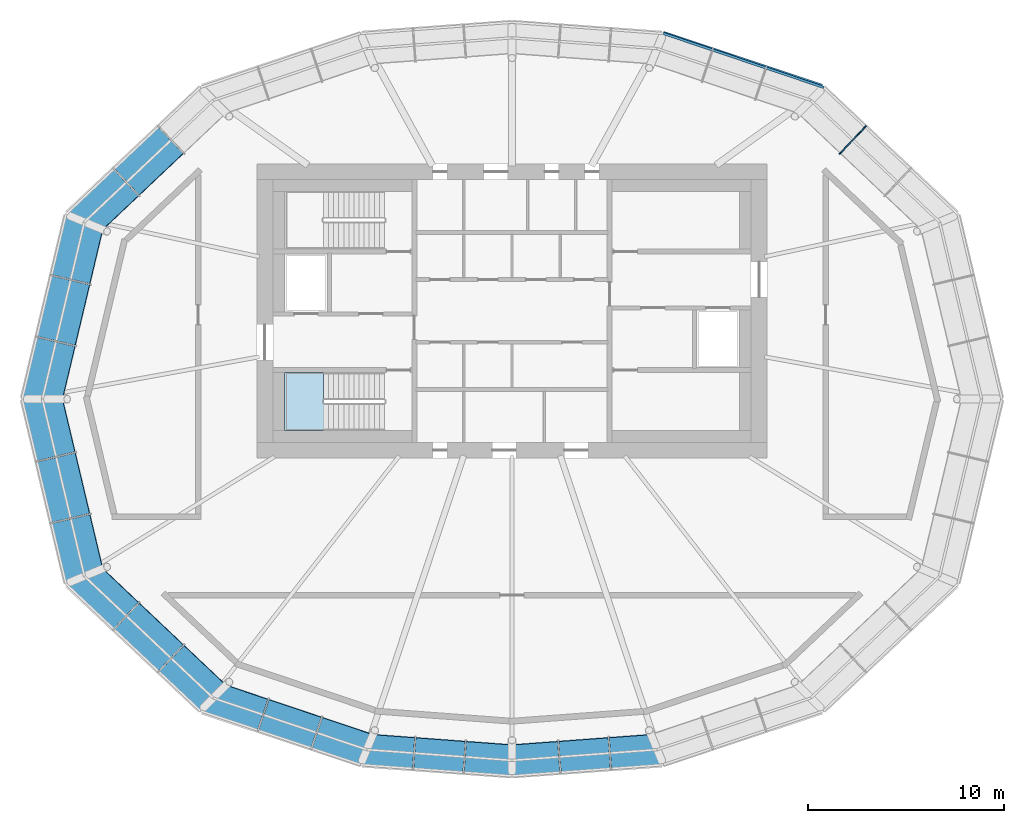
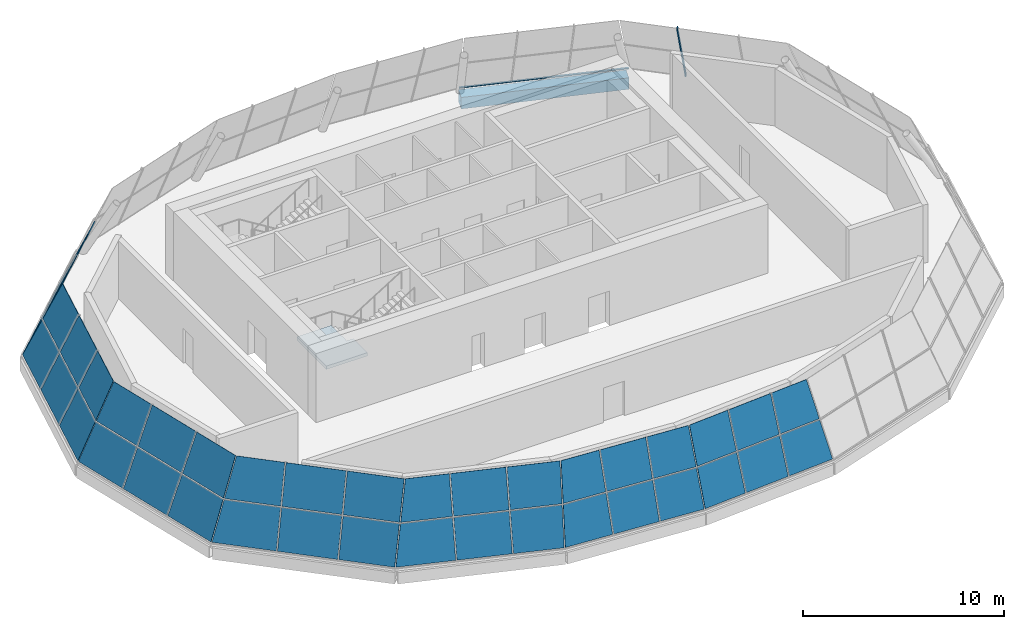
# One storey, part 3 of 8: 40 plates, 2 members, 1 beam, 1 slab, 10 elements without a shape of their own.
"""IFC4 building model written with IfcOpenShell, lengths in metres."""

from ifc_helpers import new_model, si_unit, direction, frame, origin, origin_2d, place, context, subcontext, project, spatial, polyline, rectangle, hollow_rectangle, outline, extrude, material, layer, layer_set, material_profile, profile_set, type_object, element, aggregate, save


model = new_model("IFC4")

# Units and contexts
model_context = context("Model", 3, precision=1e-05, world=origin(), true_north=direction((0.0, 1.0)))
body_context = subcontext(model_context, "Body", "Model", "MODEL_VIEW")
ifc_project = project(units=[si_unit("LENGTHUNIT", "METRE"), si_unit("AREAUNIT", "SQUARE_METRE"), si_unit("VOLUMEUNIT", "CUBIC_METRE"), si_unit("PLANEANGLEUNIT", "RADIAN"), si_unit("MASSUNIT", "GRAM", prefix="KILO")], contexts=[model_context])

# Site, building, storey
site_placement = place(None, origin())
site = spatial("IfcSite", under=ifc_project, at=site_placement, CompositionType="ELEMENT")
building_placement = place(site_placement, origin())
building = spatial("IfcBuilding", under=site, at=building_placement, Name="Rubra Terraces Tower", CompositionType="ELEMENT")
storey_placement = place(building_placement, frame((0.0, 0.0, 312.0)))
storey = spatial("IfcBuildingStorey", under=building, at=storey_placement, Name="L77", CompositionType="ELEMENT", Elevation=312.0)

# Beam
ifc_material_1 = material(Name="Steel Q355B", Category="steel")
ifc_material_profile_1 = material_profile(ifc_material_1, hollow_rectangle(XDim=0.699951171875, YDim=0.699951171875, WallThickness=0.034912109375, at=origin_2d()), Name="BOX 700x700x35")
ifc_profile_set_1 = profile_set([ifc_material_profile_1], Name="Steel Q355B")
beam_type = type_object("IfcBeamType", Name="CROWN RING GIRDER BOX 700x700x35", PredefinedType="BEAM", material=ifc_profile_set_1)
beam_placement = place(storey_placement, frame((15.73193359375, 15.73193359375, -0.550048828125), z_axis=(-0.94872905273, 0.316090468863, 0.0), x_axis=(-0.316090468863, -0.94872905273, 0.0)))
element("IfcBeam", 1, at=beam_placement, inside=storey, type_object=beam_type, Name="CROWN RING GIRDER", PredefinedType="BEAM", context=body_context, shape_type="SweptSolid", body=[
    extrude(hollow_rectangle(XDim=0.699951171875, YDim=0.699951171875, WallThickness=0.034912109375, at=origin_2d()), origin(), (0.0, 0.0, 1.0), 8.53564453125),
])

# Curtain wall, member
ifc_material_2 = material(Name="Aluminium and glass", Category="aluminium")
curtain_wall_type = type_object("IfcCurtainWallType", Name="Curtain wall Crown glazing", PredefinedType="NOTDEFINED", material=ifc_material_2)
curtain_wall_1_placement = place(storey_placement, origin())
curtain_wall_1 = element("IfcCurtainWall", 2, at=curtain_wall_1_placement, inside=storey, type_object=curtain_wall_type, Name="Crown glazing L77 facet 2", PredefinedType="NOTDEFINED")
ifc_material_3 = material(Name="Aluminium, anodised dark grey", Category="aluminium")
ifc_material_profile_2 = material_profile(ifc_material_3, rectangle(XDim=0.06005859375, YDim=0.159912109375, at=origin_2d()), Name="AL 60x160")
ifc_profile_set_2 = profile_set([ifc_material_profile_2], Name="Aluminium, anodised dark grey")
member_type_1 = type_object("IfcMemberType", Name="Crown glazing mullion 60 x 160", PredefinedType="MULLION", material=ifc_profile_set_2)
member_1_placement = place(storey_placement, frame((18.019287109375, 13.890380859375, 0.0), z_axis=(-0.277872505481, -0.293980286075, 0.914528546354), x_axis=(0.726736110056, -0.686916753574, 0.0)))
member_1 = element("IfcMember", 3, at=member_1_placement, type_object=member_type_1, Name="Crown glazing L77 facet 2 mullion 2", PredefinedType="MULLION", context=body_context, shape_type="SweptSolid", body=[
    extrude(rectangle(XDim=0.06005859375, YDim=0.159912109375, at=origin_2d()), origin(), (0.0, 0.0, 1.0), 4.592529296875),
])
aggregate(curtain_wall_1, [member_1])

curtain_wall_2_placement = place(storey_placement, origin())
curtain_wall_2 = element("IfcCurtainWall", 4, at=curtain_wall_2_placement, inside=storey, type_object=curtain_wall_type, Name="Crown glazing L77 facet 3", PredefinedType="NOTDEFINED")
ifc_material_profile_3 = material_profile(ifc_material_3, rectangle(XDim=0.1201171875, YDim=0.06005859375, at=origin_2d()), Name="AL 120x60")
ifc_profile_set_3 = profile_set([ifc_material_profile_3], Name="Aluminium, anodised dark grey")
member_type_2 = type_object("IfcMemberType", Name="Crown glazing transom 120 x 60", PredefinedType="USERDEFINED", material=ifc_profile_set_3)
member_2_placement = place(storey_placement, frame((15.89697265625, 15.89697265625, 0.0), z_axis=(-0.947867651928, 0.318664266005, 0.0), x_axis=(-0.318664266005, -0.947867651928, 0.0)))
member_2 = element("IfcMember", 5, at=member_2_placement, type_object=member_type_2, Name="Crown glazing L77 facet 3 transom 1", ObjectType="TRANSOM", PredefinedType="USERDEFINED", context=body_context, shape_type="SweptSolid", body=[
    extrude(rectangle(XDim=0.1201171875, YDim=0.06005859375, at=origin_2d()), origin(), (0.0, 0.0, 1.0), 8.62353515625),
])
aggregate(curtain_wall_2, [member_2])

# Stair, slab
ifc_material_4 = material(Name="Concrete C40", Category="concrete")
stair_type = type_object("IfcStairType", Name="Core stair 1400", PredefinedType="HALF_TURN_STAIR", material=ifc_material_4)
stair_placement = place(storey_placement, origin())
stair = element("IfcStair", 6, at=stair_placement, inside=storey, type_object=stair_type, Name="L77 Exit stair S1", PredefinedType="HALF_TURN_STAIR")
ifc_layer_1 = layer(ifc_material_4, 0.199951171875)
ifc_layer_set_1 = layer_set([ifc_layer_1], Name="Concrete C40")
slab_type = type_object("IfcSlabType", Name="Core stair landing 200", PredefinedType="LANDING", material=ifc_layer_set_1)
slab_placement = place(storey_placement, frame((0.0, 0.0, 1.89990234375)))
slab = element("IfcSlab", 7, at=slab_placement, type_object=slab_type, Name="S1 landing 1", PredefinedType="LANDING", context=body_context, shape_type="SweptSolid", body=[
    extrude(outline(polyline([(-9.239990234375, -0.199951171875), (-9.239990234375, -1.60009765625), (-9.6201171875, -1.60009765625), (-9.639892578125, -1.60009765625), (-11.60009765625, -1.60009765625), (-11.60009765625, 1.35009765625), (-9.639892578125, 1.35009765625), (-9.617919921875, 1.35009765625), (-9.617919921875, -0.050048828125), (-9.6201171875, -0.050048828125), (-9.6201171875, -0.199951171875), (-9.239990234375, -0.199951171875)])), origin(), (0.0, 0.0, 1.0), 0.2001953125),
])
aggregate(stair, [slab])

# Curtain wall, plates
curtain_wall_3_placement = place(storey_placement, origin())
curtain_wall_3 = element("IfcCurtainWall", 8, at=curtain_wall_3_placement, inside=storey, type_object=curtain_wall_type, Name="Crown glazing L77 facet 7", PredefinedType="NOTDEFINED")
ifc_material_5 = material(Name="Clear glass, laminated", Category="glass")
ifc_layer_2 = layer(ifc_material_5, 0.028076171875)
ifc_layer_set_2 = layer_set([ifc_layer_2], Name="Clear glass, laminated")
plate_type = type_object("IfcPlateType", Name="Crown glazing glass panel 28", PredefinedType="CURTAIN_PANEL", material=ifc_layer_set_2)
plate_1_placement = place(storey_placement, frame((-18.032958984375, 13.861083984375, 0.02734375), z_axis=(-0.628277150864, 0.664537842055, 0.404545767719), x_axis=(-0.72665078529, -0.687007013163, 1.0067956e-05)))
plate_1 = element("IfcPlate", 9, at=plate_1_placement, type_object=plate_type, Name="Crown glazing L77 facet 7 panel 2.1", PredefinedType="CURTAIN_PANEL", context=body_context, shape_type="SweptSolid", body=[
    extrude(outline(polyline([(0.0, 0.0), (3.0816811086023437, -1.1102230246251565e-16), (3.0818930170857697, 2.236298835235191), (3.450350654860669e-05, 2.2363666898421504), (0.0, 0.0)])), origin(), (0.0, 0.0, -1.0), 0.028076171875),
])
plate_2_placement = place(storey_placement, frame((-17.394775390625, 13.18603515625, 2.12744140625), z_axis=(-0.628268103449, 0.664566589274, 0.404512593882), x_axis=(-0.726667324439, -0.686989518961, 2.0715595e-05)))
plate_2 = element("IfcPlate", 10, at=plate_2_placement, type_object=plate_type, Name="Crown glazing L77 facet 7 panel 2.2", PredefinedType="CURTAIN_PANEL", context=body_context, shape_type="SweptSolid", body=[
    extrude(outline(polyline([(0.0, 0.0), (3.0816811055156914, 0.0), (3.081725289813199, 2.2362270755428564), (3.449733327923485e-05, 2.2363666855888837), (0.0, 0.0)])), origin(), (0.0, 0.0, -1.0), 0.028076171875),
])
plate_3_placement = place(storey_placement, frame((-20.31591796875, 11.70263671875, 0.02734375), z_axis=(-0.628271594933, 0.664560348708, 0.404517423514), x_axis=(-0.726669098391, -0.686987642858, -1.992346e-06)))
plate_3 = element("IfcPlate", 11, at=plate_3_placement, type_object=plate_type, Name="Crown glazing L77 facet 7 panel 3.1", PredefinedType="CURTAIN_PANEL", context=body_context, shape_type="SweptSolid", body=[
    extrude(outline(polyline([(0.0, 0.0), (3.2972172563589206, 2.220446049250313e-16), (2.8922219759423853, 2.2363084054641313), (-0.00018200190665803464, 2.2362949210932492), (0.0, 0.0)])), origin(), (0.0, 0.0, -1.0), 0.028076171875),
])
plate_4_placement = place(storey_placement, frame((-19.677734375, 11.027587890625, 2.12744140625), z_axis=(-0.628257188564, 0.664554085038, 0.40455008723), x_axis=(-0.726670302855, -0.68698636876, 9.284981e-06)))
plate_4 = element("IfcPlate", 12, at=plate_4_placement, type_object=plate_type, Name="Crown glazing L77 facet 7 panel 3.2", PredefinedType="CURTAIN_PANEL", context=body_context, shape_type="SweptSolid", body=[
    extrude(outline(polyline([(0.0, 0.0), (2.88135009648259, 0.0), (2.4763762939823137, 2.2363122940877656), (7.19733541059676e-06, 2.2363666904340382), (0.0, 0.0)])), origin(), (0.0, 0.0, -1.0), 0.028076171875),
])
aggregate(curtain_wall_3, [plate_1, plate_2, plate_3, plate_4])

curtain_wall_4_placement = place(storey_placement, origin())
curtain_wall_4 = element("IfcCurtainWall", 13, at=curtain_wall_4_placement, inside=storey, type_object=curtain_wall_type, Name="Crown glazing L77 facet 8", PredefinedType="NOTDEFINED")
plate_5_placement = place(storey_placement, frame((-22.74072265625, 9.3876953125, 0.027099609375), z_axis=(-0.877599447232, 0.208401877131, 0.431726612368), x_axis=(-0.231049046816, -0.972942104033, -1.2866821e-05)))
plate_5 = element("IfcPlate", 14, at=plate_5_placement, type_object=plate_type, Name="Crown glazing L77 facet 8 panel 1.1", PredefinedType="CURTAIN_PANEL", context=body_context, shape_type="SweptSolid", body=[
    extrude(outline(polyline([(0.0, 0.0), (3.127363921175959, 5.551115123125783e-17), (3.127132508737923, 2.2682133583225035), (0.15740164380098445, 2.268126385114383), (0.0, 0.0)])), origin(), (0.0, 0.0, -1.0), 0.028076171875),
])
plate_6_placement = place(storey_placement, frame((-21.80029296875, 8.998291015625, 2.126953125), z_axis=(-0.877649198812, 0.208370168323, 0.43164077284), x_axis=(-0.230996663451, -0.972954542346, 1.540989e-06)))
plate_6 = element("IfcPlate", 15, at=plate_6_placement, type_object=plate_type, Name="Crown glazing L77 facet 8 panel 1.2", PredefinedType="CURTAIN_PANEL", context=body_context, shape_type="SweptSolid", body=[
    extrude(outline(polyline([(0.0, 0.0), (2.9657046810628445, 0.0), (2.965611868673523, 2.268331041004371), (0.1574838368898829, 2.2683409045970033), (0.0, 0.0)])), origin(), (0.0, 0.0, -1.0), 0.028076171875),
])
plate_7_placement = place(storey_placement, frame((-23.47705078125, 6.28662109375, 0.027099609375), z_axis=(-0.877600960157, 0.208365059649, 0.431741307555), x_axis=(-0.231010838112, -0.972951176813, -1.459981e-05)))
plate_7 = element("IfcPlate", 16, at=plate_7_placement, type_object=plate_type, Name="Crown glazing L77 facet 8 panel 2.1", PredefinedType="CURTAIN_PANEL", context=body_context, shape_type="SweptSolid", body=[
    extrude(outline(polyline([(0.0, 0.0), (3.167988061504598, -5.551115123125783e-17), (3.168029099918998, 2.26823771579559), (9.74375447985574e-05, 2.268135162042862), (0.0, 0.0)])), origin(), (0.0, 0.0, -1.0), 0.028076171875),
])
plate_8_placement = place(storey_placement, frame((-22.499267578125, 6.054443359375, 2.126953125), z_axis=(-0.877620478234, 0.208369693743, 0.431699394154), x_axis=(-0.231010836792, -0.972951177126, -1.4598718e-05)))
plate_8 = element("IfcPlate", 17, at=plate_8_placement, type_object=plate_type, Name="Crown glazing L77 facet 8 panel 2.2", PredefinedType="CURTAIN_PANEL", context=body_context, shape_type="SweptSolid", body=[
    extrude(outline(polyline([(0.0, 0.0), (3.1679880615045173, 5.551115123125783e-17), (3.1680290999190786, 2.268457927493513), (9.743754463740098e-05, 2.268355383696692), (0.0, 0.0)])), origin(), (0.0, 0.0, -1.0), 0.028076171875),
])
plate_9_placement = place(storey_placement, frame((-24.222900390625, 3.14599609375, 0.027099609375), z_axis=(-0.877581963078, 0.208365528482, 0.431779694544), x_axis=(-0.231008599413, -0.97295170846, 1.428413e-06)))
plate_9 = element("IfcPlate", 18, at=plate_9_placement, type_object=plate_type, Name="Crown glazing L77 facet 8 panel 3.1", PredefinedType="CURTAIN_PANEL", context=body_context, shape_type="SweptSolid", body=[
    extrude(outline(polyline([(0.0, 0.0), (3.20334193726098, 0.0), (2.970813498472431, 2.268227939855967), (7.608406625247157e-05, 2.268237717395883), (0.0, 0.0)])), origin(), (0.0, 0.0, -1.0), 0.028076171875),
])
plate_10_placement = place(storey_placement, frame((-23.244873046875, 2.913818359375, 2.126953125), z_axis=(-0.877644351963, 0.208364667977, 0.431653282864), x_axis=(-0.230992218015, -0.972955597761, 1.284818e-06)))
plate_10 = element("IfcPlate", 19, at=plate_10_placement, type_object=plate_type, Name="Crown glazing L77 facet 8 panel 3.2", PredefinedType="CURTAIN_PANEL", context=body_context, shape_type="SweptSolid", body=[
    extrude(outline(polyline([(0.0, 0.0), (2.964698134541184, -5.551115123125783e-17), (2.7322422862504934, 2.2683472692190394), (0.00014867492413745616, 2.2683553834297827), (0.0, 0.0)])), origin(), (0.0, 0.0, -1.0), 0.028076171875),
])
aggregate(curtain_wall_4, [plate_5, plate_6, plate_7, plate_8, plate_9, plate_10])

curtain_wall_5_placement = place(storey_placement, origin())
curtain_wall_5 = element("IfcCurtainWall", 20, at=curtain_wall_5_placement, inside=storey, type_object=curtain_wall_type, Name="Crown glazing L77 facet 9", PredefinedType="NOTDEFINED")
plate_11_placement = place(storey_placement, frame((-24.962890625, -0.029296875, 0.02685546875), z_axis=(-0.877601484203, -0.208370163411, 0.431737779125), x_axis=(0.231008599542, -0.972951708429, -1.428306e-06)))
plate_11 = element("IfcPlate", 21, at=plate_11_placement, type_object=plate_type, Name="Crown glazing L77 facet 9 panel 1.1", PredefinedType="CURTAIN_PANEL", context=body_context, shape_type="SweptSolid", body=[
    extrude(outline(polyline([(0.0, 0.0), (3.203341937260979, 5.551115123125783e-17), (3.2032658531947282, 2.268457929093762), (0.23252843878854734, 2.2684481525030096), (0.0, 0.0)])), origin(), (0.0, 0.0, -1.0), 0.028076171875),
])
plate_12_placement = place(storey_placement, frame((-23.9296875, -0.029296875, 2.126953125), z_axis=(-0.877632394045, -0.208323171894, 0.431697622155), x_axis=(0.230944680452, -0.972966882431, -1.6248174e-05)))
plate_12 = element("IfcPlate", 22, at=plate_12_placement, type_object=plate_type, Name="Crown glazing L77 facet 9 panel 1.2", PredefinedType="CURTAIN_PANEL", context=body_context, shape_type="SweptSolid", body=[
    extrude(outline(polyline([(0.0, 0.0), (2.964641748023964, 0.0), (2.964470998962058, 2.2684579212239084), (0.23237739181510775, 2.2683553051888463), (0.0, 0.0)])), origin(), (0.0, 0.0, -1.0), 0.028076171875),
])
plate_13_placement = place(storey_placement, frame((-24.208984375, -3.204345703125, 0.02685546875), z_axis=(-0.877608452797, -0.208332081824, 0.431741991543), x_axis=(0.2309675619, -0.972961451112, 0.0)))
plate_13 = element("IfcPlate", 23, at=plate_13_placement, type_object=plate_type, Name="Crown glazing L77 facet 9 panel 2.1", PredefinedType="CURTAIN_PANEL", context=body_context, shape_type="SweptSolid", body=[
    extrude(outline(polyline([(0.0, 0.0), (3.1679316658455337, 0.0), (3.167817195365402, 2.2684579275062524), (-0.0001144704801316343, 2.268457927506252), (0.0, 0.0)])), origin(), (0.0, 0.0, -1.0), 0.028076171875),
])
plate_14_placement = place(storey_placement, frame((-23.231201171875, -2.97216796875, 2.126953125), z_axis=(-0.877592828376, -0.208397885107, 0.431741993634), x_axis=(0.231040515028, -0.972944130162, 0.0)))
plate_14 = element("IfcPlate", 24, at=plate_14_placement, type_object=plate_type, Name="Crown glazing L77 facet 9 panel 2.2", PredefinedType="CURTAIN_PANEL", context=body_context, shape_type="SweptSolid", body=[
    extrude(outline(polyline([(0.0, 0.0), (3.167988063315941, -5.551115123125783e-17), (3.167947028524251, 2.2684579300233008), (-4.103479169018098e-05, 2.2684579300233008), (0.0, 0.0)])), origin(), (0.0, 0.0, -1.0), 0.028076171875),
])
plate_15_placement = place(storey_placement, frame((-23.46337890625, -6.344970703125, 0.02685546875), z_axis=(-0.877605096468, -0.208358525105, 0.431736053242), x_axis=(0.230997110679, -0.972954436165, 2.06211e-06)))
plate_15 = element("IfcPlate", 25, at=plate_15_placement, type_object=plate_type, Name="Crown glazing L77 facet 9 panel 3.1", PredefinedType="CURTAIN_PANEL", context=body_context, shape_type="SweptSolid", body=[
    extrude(outline(polyline([(0.0, 0.0), (3.1273075167058275, -5.551115123125783e-17), (2.9698878981108416, 2.2684439896079054), (-8.050703082482684e-05, 2.26845792891668), (0.0, 0.0)])), origin(), (0.0, 0.0, -1.0), 0.028076171875),
])
plate_16_placement = place(storey_placement, frame((-22.485595703125, -6.11279296875, 2.126953125), z_axis=(-0.877620249741, -0.208401436097, 0.431684536066), x_axis=(0.231043753052, -0.972943361142, 1.3626969e-05)))
plate_16 = element("IfcPlate", 26, at=plate_16_placement, type_object=plate_type, Name="Crown glazing L77 facet 9 panel 3.2", PredefinedType="CURTAIN_PANEL", context=body_context, shape_type="SweptSolid", body=[
    extrude(outline(polyline([(0.0, 0.0), (2.9657610840215325, 0.0), (2.8083556713311095, 2.2683463460751865), (0.0002276424255113271, 2.268433572749463), (0.0, 0.0)])), origin(), (0.0, 0.0, -1.0), 0.028076171875),
])
aggregate(curtain_wall_5, [plate_11, plate_12, plate_13, plate_14, plate_15, plate_16])

curtain_wall_6_placement = place(storey_placement, origin())
curtain_wall_6 = element("IfcCurtainWall", 27, at=curtain_wall_6_placement, inside=storey, type_object=curtain_wall_type, Name="Crown glazing L77 facet 10", PredefinedType="NOTDEFINED")
plate_17_placement = place(storey_placement, frame((-22.712158203125, -9.4375, 0.027099609375), z_axis=(-0.628269190542, -0.66455780544, 0.404525335974), x_axis=(0.726668768088, -0.686987992242, 9.05335e-07)))
plate_17 = element("IfcPlate", 28, at=plate_17_placement, type_object=plate_type, Name="Crown glazing L77 facet 10 panel 1.1", PredefinedType="CURTAIN_PANEL", context=body_context, shape_type="SweptSolid", body=[
    extrude(outline(polyline([(0.0, 0.0), (3.2975623874015945, 1.1102230246251565e-16), (3.2974062885633186, 2.2371082739567147), (0.40534744174529347, 2.2371144013651363), (0.0, 0.0)])), origin(), (0.0, 0.0, -1.0), 0.028076171875),
])
plate_18_placement = place(storey_placement, frame((-21.771728515625, -9.048095703125, 2.126953125), z_axis=(-0.628298375028, -0.664553570775, 0.404486963333), x_axis=(0.72665090008, -0.687006891822, 1.722245e-06)))
plate_18 = element("IfcPlate", 29, at=plate_18_placement, type_object=plate_type, Name="Crown glazing L77 facet 10 panel 1.2", PredefinedType="CURTAIN_PANEL", context=body_context, shape_type="SweptSolid", body=[
    extrude(outline(polyline([(0.0, 0.0), (2.881695228458267, 0.0), (2.881517264387662, 2.237331547950868), (0.4053255759598299, 2.237341637781896), (0.0, 0.0)])), origin(), (0.0, 0.0, -1.0), 0.028076171875),
])
plate_19_placement = place(storey_placement, frame((-20.2724609375, -11.744140625, 0.027099609375), z_axis=(-0.628265698578, -0.66456404546, 0.404520508099), x_axis=(0.726679914101, -0.686976201926, 2.0715856e-05)))
plate_19 = element("IfcPlate", 30, at=plate_19_placement, type_object=plate_type, Name="Crown glazing L77 facet 10 panel 2.1", PredefinedType="CURTAIN_PANEL", context=body_context, shape_type="SweptSolid", body=[
    extrude(outline(polyline([(0.0, 0.0), (3.0816907956423316, 0.0), (3.0817576287437976, 2.237036507130115), (7.652639057053223e-05, 2.237176119468587), (0.0, 0.0)])), origin(), (0.0, 0.0, -1.0), 0.028076171875),
])
plate_20_placement = place(storey_placement, frame((-19.63427734375, -11.069091796875, 2.126953125), z_axis=(-0.628248758874, -0.664584447097, 0.40451329972), x_axis=(0.726696452909, -0.686958707076, 1.0066661e-05)))
plate_20 = element("IfcPlate", 31, at=plate_20_placement, type_object=plate_type, Name="Crown glazing L77 facet 10 panel 2.2", PredefinedType="CURTAIN_PANEL", context=body_context, shape_type="SweptSolid", body=[
    extrude(outline(polyline([(0.0, 0.0), (3.0816907987290296, 1.1102230246251565e-16), (3.0815899151667203, 2.237331551473553), (7.653256388904046e-05, 2.2373993925973865), (0.0, 0.0)])), origin(), (0.0, 0.0, -1.0), 0.028076171875),
])
plate_21_placement = place(storey_placement, frame((-17.989501953125, -13.90234375, 0.027099609375), z_axis=(-0.628256525752, -0.664536456199, 0.404580073944), x_axis=(0.726664908694, -0.686992074532, 1.711098e-06)))
plate_21 = element("IfcPlate", 32, at=plate_21_placement, type_object=plate_type, Name="Crown glazing L77 facet 10 panel 3.1", PredefinedType="CURTAIN_PANEL", context=body_context, shape_type="SweptSolid", body=[
    extrude(outline(polyline([(0.0, 0.0), (2.861145399046734, -1.1102230246251565e-16), (2.886722346088718, 2.2371653716130164), (1.7874183817282263e-05, 2.2371761262396914), (0.0, 0.0)])), origin(), (0.0, 0.0, -1.0), 0.028076171875),
])
plate_22_placement = place(storey_placement, frame((-17.351318359375, -13.227294921875, 2.126953125), z_axis=(-0.628267411429, -0.664569872763, 0.404508274268), x_axis=(0.726679479738, -0.686976661592, 1.2467207e-05)))
plate_22 = element("IfcPlate", 33, at=plate_22_placement, type_object=plate_type, Name="Crown glazing L77 facet 10 panel 3.2", PredefinedType="CURTAIN_PANEL", context=body_context, shape_type="SweptSolid", body=[
    extrude(outline(polyline([(0.0, 0.0), (2.887227013584692, 0.0), (2.912667755000398, 2.2373203275699547), (5.908110931356134e-05, 2.237399392671032), (0.0, 0.0)])), origin(), (0.0, 0.0, -1.0), 0.028076171875),
])
aggregate(curtain_wall_6, [plate_17, plate_18, plate_19, plate_20, plate_21, plate_22])

curtain_wall_7_placement = place(storey_placement, origin())
curtain_wall_7 = element("IfcCurtainWall", 34, at=curtain_wall_7_placement, inside=storey, type_object=curtain_wall_type, Name="Crown glazing L77 facet 11", PredefinedType="NOTDEFINED")
plate_23_placement = place(storey_placement, frame((-15.860107421875, -15.89794921875, 0.02734375), z_axis=(-0.296234093175, -0.881158727434, 0.368516836939), x_axis=(0.947867821602, -0.318663761232, -7.02748e-06)))
plate_23 = element("IfcPlate", 35, at=plate_23_placement, type_object=plate_type, Name="Crown glazing L77 facet 11 panel 1.1", PredefinedType="CURTAIN_PANEL", context=body_context, shape_type="SweptSolid", body=[
    extrude(outline(polyline([(0.0, 0.0), (3.044474472282451, 0.0), (3.0443845713288757, 2.200022641085137), (0.40253083722308575, 2.1999796552270157), (0.0, 0.0)])), origin(), (0.0, 0.0, -1.0), 0.028076171875),
])
plate_24_placement = place(storey_placement, frame((-15.202880859375, -15.24072265625, 2.12744140625), z_axis=(-0.296246481062, -0.881173318333, 0.368471987423), x_axis=(0.947867179115, -0.318665672305, 7.133303e-06)))
plate_24 = element("IfcPlate", 36, at=plate_24_placement, type_object=plate_type, Name="Crown glazing L77 facet 11 panel 1.2", PredefinedType="CURTAIN_PANEL", context=body_context, shape_type="SweptSolid", body=[
    extrude(outline(polyline([(0.0, 0.0), (2.6310452034559533, 0.0), (2.631060428171815, 2.1999373669891185), (0.4025581639045687, 2.199974655258179), (0.0, 0.0)])), origin(), (0.0, 0.0, -1.0), 0.028076171875),
])
plate_25_placement = place(storey_placement, frame((-12.91748046875, -16.88720703125, 0.02734375), z_axis=(-0.29621128225, -0.881175144256, 0.368495917771), x_axis=(0.947876135032, -0.318639031567, -1.4082204e-05)))
plate_25 = element("IfcPlate", 37, at=plate_25_placement, type_object=plate_type, Name="Crown glazing L77 facet 11 panel 2.1", PredefinedType="CURTAIN_PANEL", context=body_context, shape_type="SweptSolid", body=[
    extrude(outline(polyline([(0.0, 0.0), (2.8147144056664866, 1.1102230246251565e-16), (2.8146312300967358, 2.200022639486136), (-5.382837435225247e-06, 2.199937364995168), (0.0, 0.0)])), origin(), (0.0, 0.0, -1.0), 0.028076171875),
])
plate_26_placement = place(storey_placement, frame((-12.652099609375, -16.098388671875, 2.12744140625), z_axis=(-0.296235637912, -0.881166956708, 0.36849591753), x_axis=(0.947870885192, -0.318654648179, 1.4083621e-05)))
plate_26 = element("IfcPlate", 38, at=plate_26_placement, type_object=plate_type, Name="Crown glazing L77 facet 11 panel 2.2", PredefinedType="CURTAIN_PANEL", context=body_context, shape_type="SweptSolid", body=[
    extrude(outline(polyline([(0.0, 0.0), (2.814405196596597, 0.0), (2.8144440631014556, 2.199937364658474), (-3.893004010714266e-05, 2.200022640714043), (0.0, 0.0)])), origin(), (0.0, 0.0, -1.0), 0.028076171875),
])
plate_27_placement = place(storey_placement, frame((-10.19287109375, -17.80322265625, 0.02734375), z_axis=(-0.29625846995, -0.881160070213, 0.368494029322), x_axis=(0.947860380314, -0.318685894592, -4.394256e-06)))
plate_27 = element("IfcPlate", 39, at=plate_27_placement, type_object=plate_type, Name="Crown glazing L77 facet 11 panel 3.1", PredefinedType="CURTAIN_PANEL", context=body_context, shape_type="SweptSolid", body=[
    extrude(outline(polyline([(0.0, 0.0), (2.58009070375734, 5.551115123125783e-17), (2.6356517848046375, 2.1999906896328976), (0.00020576703896977585, 2.199966036384982), (0.0, 0.0)])), origin(), (0.0, 0.0, -1.0), 0.028076171875),
])
plate_28_placement = place(storey_placement, frame((-9.927490234375, -17.014404296875, 2.12744140625), z_axis=(-0.296198699979, -0.881186874261, 0.368477981378), x_axis=(0.94788592939, -0.318609893796, 2.0960793e-05)))
plate_28 = element("IfcPlate", 40, at=plate_28_placement, type_object=plate_type, Name="Crown glazing L77 facet 11 panel 3.2", PredefinedType="CURTAIN_PANEL", context=body_context, shape_type="SweptSolid", body=[
    extrude(outline(polyline([(0.0, 0.0), (2.637143719623638, 1.1102230246251565e-16), (2.6928994444949605, 2.199902460752418), (1.3417037047685493e-05, 2.2000226385326114), (0.0, 0.0)])), origin(), (0.0, 0.0, -1.0), 0.028076171875),
])
aggregate(curtain_wall_7, [plate_23, plate_24, plate_25, plate_26, plate_27, plate_28])

curtain_wall_8_placement = place(storey_placement, origin())
curtain_wall_8 = element("IfcCurtainWall", 41, at=curtain_wall_8_placement, inside=storey, type_object=curtain_wall_type, Name="Crown glazing L77 facet 12", PredefinedType="NOTDEFINED")
plate_29_placement = place(storey_placement, frame((-7.688720703125, -18.636962890625, 0.02783203125), z_axis=(-0.069206662703, -0.933052476358, 0.353020557758), x_axis=(0.997260163189, -0.073974095077, -1.3214123e-05)))
plate_29 = element("IfcPlate", 42, at=plate_29_placement, type_object=plate_type, Name="Crown glazing L77 facet 12 panel 1.1", PredefinedType="CURTAIN_PANEL", context=body_context, shape_type="SweptSolid", body=[
    extrude(outline(polyline([(0.0, 0.0), (2.6192436321889216, 1.3877787807814457e-17), (2.619281684616411, 2.184897452464769), (0.25465732711795225, 2.1848270630340303), (0.0, 0.0)])), origin(), (0.0, 0.0, -1.0), 0.028076171875),
])
plate_30_placement = place(storey_placement, frame((-7.369384765625, -17.8662109375, 2.1279296875), z_axis=(-0.069176424188, -0.933036862738, 0.35306774861), x_axis=(0.997262875252, -0.07393752525, 1.821428e-06)))
plate_30 = element("IfcPlate", 43, at=plate_30_placement, type_object=plate_type, Name="Crown glazing L77 facet 12 panel 1.2", PredefinedType="CURTAIN_PANEL", context=body_context, shape_type="SweptSolid", body=[
    extrude(outline(polyline([(0.0, 0.0), (2.357771031392554, 0.0), (2.3578681069698004, 2.184897452805448), (0.25469829132595107, 2.184906137396346), (0.0, 0.0)])), origin(), (0.0, 0.0, -1.0), 0.028076171875),
])
plate_31_placement = place(storey_placement, frame((-5.016845703125, -18.835205078125, 0.02783203125), z_axis=(-0.069214439714, -0.933036013899, 0.353062541346), x_axis=(0.997259822598, -0.073978687685, 0.0)))
plate_31 = element("IfcPlate", 44, at=plate_31_placement, type_object=plate_type, Name="Crown glazing L77 facet 12 panel 2.1", PredefinedType="CURTAIN_PANEL", context=body_context, shape_type="SweptSolid", body=[
    extrude(outline(polyline([(0.0, 0.0), (2.5213131421702224, 0.0), (2.5213746542779853, 2.1848974541299673), (6.15121077630551e-05, 2.1848974541299673), (0.0, 0.0)])), origin(), (0.0, 0.0, -1.0), 0.028076171875),
])
plate_32_placement = place(storey_placement, frame((-4.958251953125, -18.044921875, 2.1279296875), z_axis=(-0.069257608522, -0.93305263436, 0.353010148828), x_axis=(0.99725699308, -0.074016818759, 1.7128948e-05)))
plate_32 = element("IfcPlate", 45, at=plate_32_placement, type_object=plate_type, Name="Crown glazing L77 facet 12 panel 2.2", PredefinedType="CURTAIN_PANEL", context=body_context, shape_type="SweptSolid", body=[
    extrude(outline(polyline([(0.0, 0.0), (2.52155661090286, 0.0), (2.521398242001612, 2.184805127365073), (6.703153193581326e-05, 2.1848974505417953), (0.0, 0.0)])), origin(), (0.0, 0.0, -1.0), 0.028076171875),
])
plate_33_placement = place(storey_placement, frame((-2.4423828125, -19.026123046875, 0.02783203125), z_axis=(-0.069176093362, -0.933065110113, 0.352993156303), x_axis=(0.997262679035, -0.073940170798, -1.2060904e-05)))
plate_33 = element("IfcPlate", 46, at=plate_33_placement, type_object=plate_type, Name="Crown glazing L77 facet 12 panel 3.1", PredefinedType="CURTAIN_PANEL", context=body_context, shape_type="SweptSolid", body=[
    extrude(outline(polyline([(0.0, 0.0), (2.4192255711481754, 0.0), (2.362012815522783, 2.1848667649161087), (-0.00015876947070072838, 2.1848051291983146), (0.0, 0.0)])), origin(), (0.0, 0.0, -1.0), 0.028076171875),
])
plate_34_placement = place(storey_placement, frame((-2.3837890625, -18.236083984375, 2.1279296875), z_axis=(-0.069203310164, -0.933044771367, 0.353041578976), x_axis=(0.997260885156, -0.073964362468, 4.794568e-06)))
plate_34 = element("IfcPlate", 47, at=plate_34_placement, type_object=plate_type, Name="Crown glazing L77 facet 12 panel 3.2", PredefinedType="CURTAIN_PANEL", context=body_context, shape_type="SweptSolid", body=[
    extrude(outline(polyline([(0.0, 0.0), (2.3604672787687426, 6.938893903907228e-18), (2.3032702681766657, 2.1848671784860114), (-0.0001610778764387808, 2.1848910788651494), (0.0, 0.0)])), origin(), (0.0, 0.0, -1.0), 0.028076171875),
])
aggregate(curtain_wall_8, [plate_29, plate_30, plate_31, plate_32, plate_33, plate_34])

curtain_wall_9_placement = place(storey_placement, origin())
curtain_wall_9 = element("IfcCurtainWall", 48, at=curtain_wall_9_placement, inside=storey, type_object=curtain_wall_type, Name="Crown glazing L77 facet 13", PredefinedType="NOTDEFINED")
plate_35_placement = place(storey_placement, frame((0.02978515625, -19.205078125, 0.028076171875), z_axis=(0.069223953198, -0.933066273223, 0.352980699298), x_axis=(0.997259382165, 0.073984624498, -4.756467e-06)))
plate_35 = element("IfcPlate", 49, at=plate_35_placement, type_object=plate_type, Name="Crown glazing L77 facet 13 panel 1.1", PredefinedType="CURTAIN_PANEL", context=body_context, shape_type="SweptSolid", body=[
    extrude(outline(polyline([(0.0, 0.0), (2.4192255723406606, 1.3877787807814457e-17), (2.419384339426312, 2.184576704665011), (0.057194698399326505, 2.1845523973767738), (0.0, 0.0)])), origin(), (0.0, 0.0, -1.0), 0.028076171875),
])
plate_36_placement = place(storey_placement, frame((0.02978515625, -18.41064453125, 2.128173828125), z_axis=(0.069251335168, -0.933031956356, 0.353066029229), x_axis=(0.997256552534, 0.074022755168, 1.2032598e-05)))
plate_36 = element("IfcPlate", 50, at=plate_36_placement, type_object=plate_type, Name="Crown glazing L77 facet 13 panel 1.2", PredefinedType="CURTAIN_PANEL", context=body_context, shape_type="SweptSolid", body=[
    extrude(outline(polyline([(0.0, 0.0), (2.360485344784132, 6.938893903907228e-18), (2.3607079099492916, 2.184348275404005), (0.05727656573486454, 2.1844082573721306), (0.0, 0.0)])), origin(), (0.0, 0.0, -1.0), 0.028076171875),
])
plate_37_placement = place(storey_placement, frame((2.502197265625, -19.021728515625, 0.028076171875), z_axis=(0.069256577592, -0.93303874547, 0.353047059062), x_axis=(0.99725699318, 0.074016817411, -1.7130484e-05)))
plate_37 = element("IfcPlate", 51, at=plate_37_placement, type_object=plate_type, Name="Crown glazing L77 facet 13 panel 2.1", PredefinedType="CURTAIN_PANEL", context=body_context, shape_type="SweptSolid", body=[
    extrude(outline(polyline([(0.0, 0.0), (2.5215566109029486, 0.0), (2.521489579370836, 2.184669034340835), (0.00015836890142492205, 2.1845767015109345), (0.0, 0.0)])), origin(), (0.0, 0.0, -1.0), 0.028076171875),
])
plate_38_placement = place(storey_placement, frame((2.443603515625, -18.2314453125, 2.128173828125), z_axis=(0.069211861392, -0.933046552885, 0.353035194269), x_axis=(0.997260120566, 0.073974670851, -1.182878e-06)))
plate_38 = element("IfcPlate", 52, at=plate_38_placement, type_object=plate_type, Name="Crown glazing L77 facet 13 panel 2.2", PredefinedType="CURTAIN_PANEL", context=body_context, shape_type="SweptSolid", body=[
    extrude(outline(polyline([(0.0, 0.0), (2.521556613857128, 0.0), (2.5214715169576056, 2.1843546580909243), (0.00015837480959964145, 2.184348282466263), (0.0, 0.0)])), origin(), (0.0, 0.0, -1.0), 0.028076171875),
])
plate_39_placement = place(storey_placement, frame((5.07666015625, -18.830810546875, 0.028076171875), z_axis=(0.069202357943, -0.933040268449, 0.353053666044), x_axis=(0.997260397718, 0.073970933042, 1.4412024e-05)))
plate_39 = element("IfcPlate", 53, at=plate_39_placement, type_object=plate_type, Name="Crown glazing L77 facet 13 panel 3.1", PredefinedType="CURTAIN_PANEL", context=body_context, shape_type="SweptSolid", body=[
    extrude(outline(polyline([(0.0, 0.0), (2.6192436318415653, -1.3877787807814457e-17), (2.3648297764716646, 2.184592260626674), (-3.8053122207394306e-05, 2.1846690358474437), (0.0, 0.0)])), origin(), (0.0, 0.0, -1.0), 0.028076171875),
])
plate_40_placement = place(storey_placement, frame((5.01806640625, -18.04052734375, 2.128173828125), z_axis=(0.069226570365, -0.933022607394, 0.353095590523), x_axis=(0.997258389141, 0.0739980073, 1.4261476e-05)))
plate_40 = element("IfcPlate", 54, at=plate_40_placement, type_object=plate_type, Name="Crown glazing L77 facet 13 panel 3.2", PredefinedType="CURTAIN_PANEL", context=body_context, shape_type="SweptSolid", body=[
    extrude(outline(polyline([(0.0, 0.0), (2.3577890920500817, 6.938893903907228e-18), (2.1031523907522938, 2.1843726239293844), (-1.7421689362301073e-05, 2.1844406238510365), (0.0, 0.0)])), origin(), (0.0, 0.0, -1.0), 0.028076171875),
])
aggregate(curtain_wall_9, [plate_35, plate_36, plate_37, plate_38, plate_39, plate_40])

save(model, "model.ifc")
